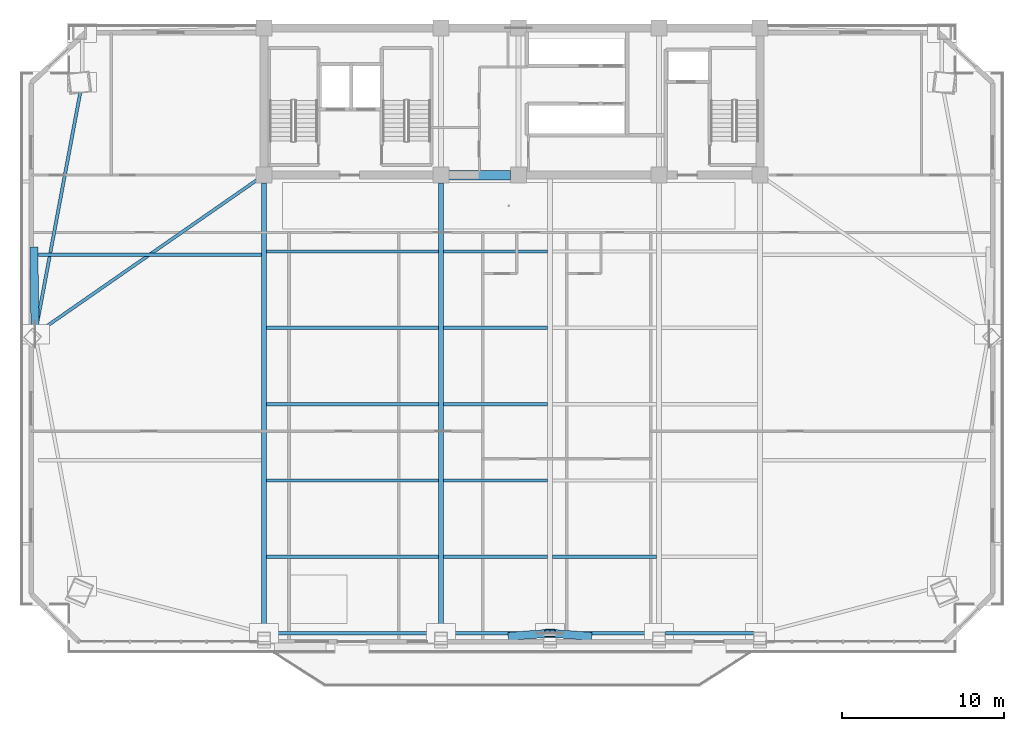
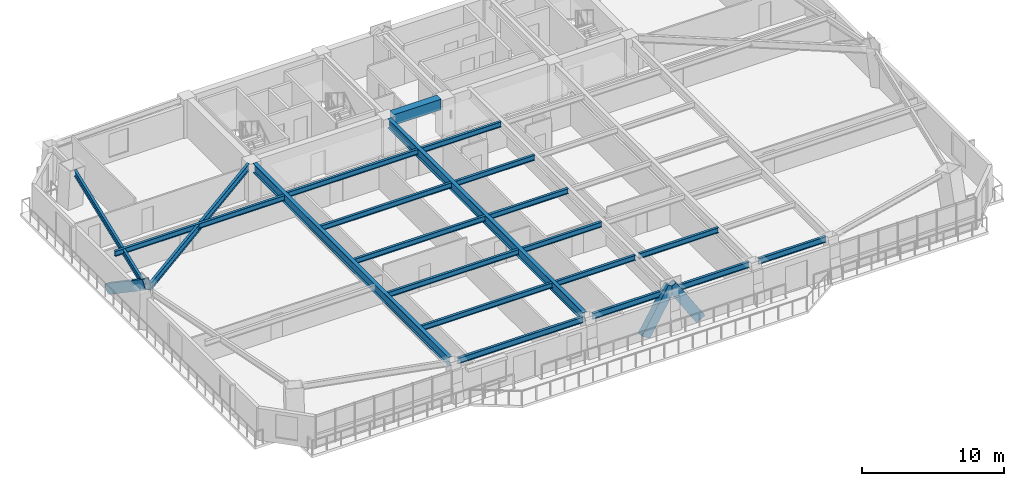
# One storey, part 3 of 15: 21 beams, 3 members.
"""IFC4 building model written with IfcOpenShell, lengths in metres."""

from ifc_helpers import new_model, si_unit, direction, frame, origin, origin_2d, place, context, subcontext, project, spatial, rectangle, hollow_rectangle, i_section, extrude, source, transform, mapped, material, material_profile, profile_set, type_object, element, save


model = new_model("IFC4")

# Units and contexts
model_context = context("Model", 3, precision=1e-05, world=origin(), true_north=direction((0.0, 1.0)))
body_context = subcontext(model_context, "Body", "Model", "MODEL_VIEW")
ifc_project = project(units=[si_unit("LENGTHUNIT", "METRE"), si_unit("AREAUNIT", "SQUARE_METRE"), si_unit("VOLUMEUNIT", "CUBIC_METRE"), si_unit("PLANEANGLEUNIT", "RADIAN"), si_unit("MASSUNIT", "GRAM", prefix="KILO")], contexts=[model_context])

# Site, building, storey
site_placement = place(None, origin())
site = spatial("IfcSite", under=ifc_project, at=site_placement, CompositionType="ELEMENT")
building_placement = place(site_placement, origin())
building = spatial("IfcBuilding", under=site, at=building_placement, Name="Giltprow Tower", CompositionType="ELEMENT")
storey_placement = place(building_placement, frame((0.0, 0.0, 156.199951171875)))
storey = spatial("IfcBuildingStorey", under=building, at=storey_placement, Name="L38", CompositionType="ELEMENT", Elevation=156.199951171875)

# Beams
ifc_material_1 = material(Name="Structural steel Q355B", Category="steel")
ifc_material_profile_1 = material_profile(ifc_material_1, i_section(OverallWidth=0.199951171875, OverallDepth=0.449951171875, WebThickness=0.009033203125, FlangeThickness=0.013916015625, at=origin_2d()), Name="HN 450x200x9x14")
ifc_profile_set_1 = profile_set([ifc_material_profile_1], Name="Structural steel Q355B")
beam_type_1 = type_object("IfcBeamType", Name="BM-JOIST-HN450", PredefinedType="JOIST", material=ifc_profile_set_1)
shared_shape_1 = source(origin(), body_context, "Body", "SweptSolid", [
    extrude(i_section(OverallWidth=0.199951171875, OverallDepth=0.449951171875, WebThickness=0.009033203125, FlangeThickness=0.013916015625, at=origin_2d()), origin(), (0.0, 0.0, 1.0), 10.659912109375),
])
for number, where, z_axis, x_axis, name in (
    (1, (19.9951171875, 13.822998046875, 3.045166015625), (1.0, 0.0, 0.0), (0.0, 1.0, 0.0), "L38 Composite Floor Joist 1-1"),
    (2, (19.9951171875, 18.549072265625, 3.045166015625), (1.0, 0.0, 0.0), (0.0, 1.0, 0.0), "L38 Composite Floor Joist 2-1"),
    (3, (19.9951171875, 23.27392578125, 3.045166015625), (1.0, 0.0, 0.0), (0.0, 1.0, 0.0), "L38 Composite Floor Joist 3-1"),
    (4, (19.9951171875, 27.9990234375, 3.045166015625), (1.0, 0.0, 0.0), (0.0, 1.0, 0.0), "L38 Composite Floor Joist 4-1"),
    (5, (19.9951171875, 32.72509765625, 3.045166015625), (1.0, 0.0, 0.0), (0.0, 1.0, 0.0), "L38 Composite Floor Joist 5-1"),
):
    element("IfcBeam", number, at=place(storey_placement, frame(where, z_axis=z_axis, x_axis=x_axis)), inside=storey, type_object=beam_type_1, Name=name, PredefinedType="JOIST", context=body_context, shape_type="MappedRepresentation", body=[
        mapped(shared_shape_1, transform((0.0, 0.0, 0.0), x_axis=(1.0, 0.0, 0.0), y_axis=(0.0, 1.0, 0.0), z_axis=(0.0, 0.0, 1.0), scale=1.0)),
    ])
shared_shape_2 = source(origin(), body_context, "Body", "SweptSolid", [
    extrude(i_section(OverallWidth=0.199951171875, OverallDepth=0.449951171875, WebThickness=0.009033203125, FlangeThickness=0.013916015625, at=origin_2d()), origin(), (0.0, 0.0, 1.0), 6.4599609375),
])
for number, where, z_axis, x_axis, name in (
    (6, (30.945068359375, 13.822998046875, 3.045166015625), (1.0, 0.0, 0.0), (0.0, 1.0, 0.0), "L38 Composite Floor Joist 1-2"),
    (7, (37.695068359375, 13.822998046875, 3.045166015625), (1.0, 0.0, 0.0), (0.0, 1.0, 0.0), "L38 Composite Floor Joist 1-3"),
    (8, (30.945068359375, 18.549072265625, 3.045166015625), (1.0, 0.0, 0.0), (0.0, 1.0, 0.0), "L38 Composite Floor Joist 2-2"),
    (9, (30.945068359375, 23.27392578125, 3.045166015625), (1.0, 0.0, 0.0), (0.0, 1.0, 0.0), "L38 Composite Floor Joist 3-2"),
    (10, (30.945068359375, 27.9990234375, 3.045166015625), (1.0, 0.0, 0.0), (0.0, 1.0, 0.0), "L38 Composite Floor Joist 4-2"),
    (11, (30.945068359375, 32.72509765625, 3.045166015625), (1.0, 0.0, 0.0), (0.0, 1.0, 0.0), "L38 Composite Floor Joist 5-2"),
):
    element("IfcBeam", number, at=place(storey_placement, frame(where, z_axis=z_axis, x_axis=x_axis)), inside=storey, type_object=beam_type_1, Name=name, PredefinedType="JOIST", context=body_context, shape_type="MappedRepresentation", body=[
        mapped(shared_shape_2, transform((0.0, 0.0, 0.0), x_axis=(1.0, 0.0, 0.0), y_axis=(0.0, 1.0, 0.0), z_axis=(0.0, 0.0, 1.0), scale=1.0)),
    ])
ifc_material_profile_2 = material_profile(ifc_material_1, i_section(OverallWidth=0.199951171875, OverallDepth=0.5, WebThickness=0.010009765625, FlangeThickness=0.01611328125, at=origin_2d()), Name="HN 500x200x10x16")
ifc_profile_set_2 = profile_set([ifc_material_profile_2], Name="Structural steel Q355B")
beam_type_2 = type_object("IfcBeamType", Name="BM-SPAN-HN500", PredefinedType="SPANDREL", material=ifc_profile_set_2)
shared_shape_3 = source(origin(), body_context, "Body", "SweptSolid", [
    extrude(i_section(OverallWidth=0.199951171875, OverallDepth=0.5, WebThickness=0.010009765625, FlangeThickness=0.01611328125, at=origin_2d()), origin(), (0.0, 0.0, 1.0), 10.179931640625),
])
beam_1_placement = place(storey_placement, frame((20.235107421875, 9.097900390625, 3.02001953125), z_axis=(1.0, 0.0, 0.0), x_axis=(0.0, 1.0, 0.0)))
element("IfcBeam", 12, at=beam_1_placement, inside=storey, type_object=beam_type_2, Name="L38 Perimeter Spandrel Beam S1-S2", PredefinedType="SPANDREL", context=body_context, shape_type="MappedRepresentation", body=[
    mapped(shared_shape_3, transform((0.0, 0.0, 0.0), x_axis=(1.0, 0.0, 0.0), y_axis=(0.0, 1.0, 0.0), z_axis=(0.0, 0.0, 1.0), scale=1.0)),
])
shared_shape_4 = source(origin(), body_context, "Body", "SweptSolid", [
    extrude(i_section(OverallWidth=0.199951171875, OverallDepth=0.5, WebThickness=0.010009765625, FlangeThickness=0.01611328125, at=origin_2d()), origin(), (0.0, 0.0, 1.0), 5.97998046875),
])
for number, where, z_axis, x_axis, name in (
    (13, (31.18505859375, 9.097900390625, 3.02001953125), (1.0, 0.0, 0.0), (0.0, 1.0, 0.0), "L38 Perimeter Spandrel Beam S2-S_MID"),
    (14, (37.93505859375, 9.097900390625, 3.02001953125), (1.0, 0.0, 0.0), (0.0, 1.0, 0.0), "L38 Perimeter Spandrel Beam S_MID-S3"),
):
    element("IfcBeam", number, at=place(storey_placement, frame(where, z_axis=z_axis, x_axis=x_axis)), inside=storey, type_object=beam_type_2, Name=name, PredefinedType="SPANDREL", context=body_context, shape_type="MappedRepresentation", body=[
        mapped(shared_shape_4, transform((0.0, 0.0, 0.0), x_axis=(1.0, 0.0, 0.0), y_axis=(0.0, 1.0, 0.0), z_axis=(0.0, 0.0, 1.0), scale=1.0)),
    ])
shared_shape_5 = source(origin(), body_context, "Body", "SweptSolid", [
    extrude(i_section(OverallWidth=0.199951171875, OverallDepth=0.5, WebThickness=0.010009765625, FlangeThickness=0.01611328125, at=origin_2d()), origin(), (0.0, 0.0, 1.0), 5.47998046875),
])
beam_2_placement = place(storey_placement, frame((44.68505859375, 9.097900390625, 3.02001953125), z_axis=(1.0, 0.0, 0.0), x_axis=(0.0, 1.0, 0.0)))
element("IfcBeam", 15, at=beam_2_placement, inside=storey, type_object=beam_type_2, Name="L38 Perimeter Spandrel Beam S3-S4", PredefinedType="SPANDREL", context=body_context, shape_type="MappedRepresentation", body=[
    mapped(shared_shape_5, transform((0.0, 0.0, 0.0), x_axis=(1.0, 0.0, 0.0), y_axis=(0.0, 1.0, 0.0), z_axis=(0.0, 0.0, 1.0), scale=1.0)),
])
ifc_material_2 = material(Name="Concrete C50", Category="concrete")
ifc_material_profile_3 = material_profile(ifc_material_2, rectangle(XDim=0.60009765625, YDim=0.89990234375, at=origin_2d()), Name="RC 900x600")
ifc_profile_set_3 = profile_set([ifc_material_profile_3], Name="Concrete C50")
beam_type_3 = type_object("IfcBeamType", Name="BM-CPL-RC900", PredefinedType="LINTEL", material=ifc_profile_set_3)
shared_shape_6 = source(origin(), body_context, "Body", "SweptSolid", [
    extrude(rectangle(XDim=0.60009765625, YDim=0.89990234375, at=origin_2d()), origin(), (0.0, 0.0, 1.0), 3.830078125),
])
beam_3_placement = place(storey_placement, frame((31.284912109375, 37.449951171875, 2.820068359375), z_axis=(1.0, 0.0, 0.0), x_axis=(0.0, 1.0, 0.0)))
element("IfcBeam", 16, at=beam_3_placement, inside=storey, type_object=beam_type_3, Name="L38 Core Coupling Beam CB-1", PredefinedType="LINTEL", context=body_context, shape_type="MappedRepresentation", body=[
    mapped(shared_shape_6, transform((0.0, 0.0, 0.0), x_axis=(1.0, 0.0, 0.0), y_axis=(0.0, 1.0, 0.0), z_axis=(0.0, 0.0, 1.0), scale=1.0)),
])
shared_shape_7 = source(origin(), body_context, "Body", "SweptSolid", [
    extrude(i_section(OverallWidth=0.199951171875, OverallDepth=0.5, WebThickness=0.010009765625, FlangeThickness=0.01611328125, at=origin_2d()), origin(), (0.0, 0.0, 1.0), 14.83837890625),
])
beam_4_placement = place(storey_placement, frame((8.47998046875, 42.56298828125, 3.02001953125), z_axis=(-0.183652712761, -0.982991190752, 0.0), x_axis=(0.982991190752, -0.183652712761, 0.0)))
element("IfcBeam", 17, at=beam_4_placement, inside=storey, type_object=beam_type_2, Name="L38 Perimeter Spandrel Beam MC_NW-W_MID", PredefinedType="SPANDREL", context=body_context, shape_type="MappedRepresentation", body=[
    mapped(shared_shape_7, transform((0.0, 0.0, 0.0), x_axis=(1.0, 0.0, 0.0), y_axis=(0.0, 1.0, 0.0), z_axis=(0.0, 0.0, 1.0), scale=1.0)),
])
ifc_material_profile_4 = material_profile(ifc_material_1, i_section(OverallWidth=0.300048828125, OverallDepth=0.800048828125, WebThickness=0.013916015625, FlangeThickness=0.02587890625, at=origin_2d()), Name="HN 800x300x14x26")
ifc_profile_set_4 = profile_set([ifc_material_profile_4], Name="Structural steel Q355B")
beam_type_4 = type_object("IfcBeamType", Name="BM-GIRD-HN800", PredefinedType="BEAM", material=ifc_profile_set_4)
shared_shape_8 = source(origin(), body_context, "Body", "SweptSolid", [
    extrude(i_section(OverallWidth=0.300048828125, OverallDepth=0.800048828125, WebThickness=0.013916015625, FlangeThickness=0.02587890625, at=origin_2d()), origin(), (0.0, 0.0, 1.0), 27.482177734375),
])
for number, where, z_axis, x_axis, name in (
    (18, (19.85009765625, 9.48291015625, 2.8701171875), (0.0, 1.0, 0.0), (-1.0, 0.0, 0.0), "L38 Primary Lease Girder S1"),
    (19, (30.800048828125, 9.48291015625, 2.8701171875), (0.0, 1.0, 0.0), (-1.0, 0.0, 0.0), "L38 Primary Lease Girder S2"),
):
    element("IfcBeam", number, at=place(storey_placement, frame(where, z_axis=z_axis, x_axis=x_axis)), inside=storey, type_object=beam_type_4, Name=name, PredefinedType="BEAM", context=body_context, shape_type="MappedRepresentation", body=[
        mapped(shared_shape_8, transform((0.0, 0.0, 0.0), x_axis=(1.0, 0.0, 0.0), y_axis=(0.0, 1.0, 0.0), z_axis=(0.0, 0.0, 1.0), scale=1.0)),
    ])
ifc_material_profile_5 = material_profile(ifc_material_1, i_section(OverallWidth=0.199951171875, OverallDepth=0.60009765625, WebThickness=0.010986328125, FlangeThickness=0.01708984375, at=origin_2d()), Name="HN 600x200x11x17")
ifc_profile_set_5 = profile_set([ifc_material_profile_5], Name="Structural steel Q355B")
beam_type_5 = type_object("IfcBeamType", Name="BM-GIRD-HN600", PredefinedType="BEAM", material=ifc_profile_set_5)
shared_shape_9 = source(origin(), body_context, "Body", "SweptSolid", [
    extrude(i_section(OverallWidth=0.199951171875, OverallDepth=0.60009765625, WebThickness=0.010986328125, FlangeThickness=0.01708984375, at=origin_2d()), origin(), (0.0, 0.0, 1.0), 16.384521484375),
])
beam_5_placement = place(storey_placement, frame((6.0, 27.819091796875, 2.969970703125), z_axis=(0.821015129257, 0.570906435005, 0.0), x_axis=(-0.570906435005, 0.821015129257, 0.0)))
element("IfcBeam", 20, at=beam_5_placement, inside=storey, type_object=beam_type_5, Name="L38 West Wing Primary Girder", PredefinedType="BEAM", context=body_context, shape_type="MappedRepresentation", body=[
    mapped(shared_shape_9, transform((0.0, 0.0, 0.0), x_axis=(1.0, 0.0, 0.0), y_axis=(0.0, 1.0, 0.0), z_axis=(0.0, 0.0, 1.0), scale=1.0)),
])
shared_shape_10 = source(origin(), body_context, "Body", "SweptSolid", [
    extrude(i_section(OverallWidth=0.199951171875, OverallDepth=0.449951171875, WebThickness=0.009033203125, FlangeThickness=0.013916015625, at=origin_2d()), origin(), (0.0, 0.0, 1.0), 13.801025390625),
])
beam_6_placement = place(storey_placement, frame((5.904052734375, 32.52490234375, 3.045166015625), z_axis=(1.0, 0.0, 0.0), x_axis=(0.0, 1.0, 0.0)))
element("IfcBeam", 21, at=beam_6_placement, inside=storey, type_object=beam_type_1, Name="L38 West Wing Floor Joist 2", PredefinedType="JOIST", context=body_context, shape_type="MappedRepresentation", body=[
    mapped(shared_shape_10, transform((0.0, 0.0, 0.0), x_axis=(1.0, 0.0, 0.0), y_axis=(0.0, 1.0, 0.0), z_axis=(0.0, 0.0, 1.0), scale=1.0)),
])

# Members
ifc_material_3 = material(Name="Structural steel Q420GJC", Category="steel")
ifc_material_profile_6 = material_profile(ifc_material_3, hollow_rectangle(XDim=0.5, YDim=0.800048828125, WallThickness=0.035888671875, at=origin_2d()), Name="RHS 800x500x36")
ifc_profile_set_6 = profile_set([ifc_material_profile_6], Name="Structural steel Q420GJC")
member_type = type_object("IfcMemberType", Name="MBR-MEGA-RHS800", PredefinedType="BRACE", material=ifc_profile_set_6)
shared_shape_11 = source(origin(), body_context, "Body", "SweptSolid", [
    extrude(hollow_rectangle(XDim=0.5, YDim=0.800048828125, WallThickness=0.035888671875, at=origin_2d()), origin(), (0.0, 0.0, 1.0), 4.16455078125),
])
for number, where, z_axis, x_axis, name in (
    (22, (35.300048828125, 8.923095703125, 0.0), (0.540281001718, 0.041974956297, 0.840437113784), (-0.077457561353, 0.996995650035, 0.0), "L38 Chevron Mega-Brace S-L"),
    (23, (39.800048828125, 8.923095703125, 0.0), (-0.540281001718, 0.041974956297, 0.840437113784), (-0.077457561353, -0.996995650035, 0.0), "L38 Chevron Mega-Brace S-R"),
):
    element("IfcMember", number, at=place(storey_placement, frame(where, z_axis=z_axis, x_axis=x_axis)), inside=storey, type_object=member_type, Name=name, PredefinedType="BRACE", context=body_context, shape_type="MappedRepresentation", body=[
        mapped(shared_shape_11, transform((0.0, 0.0, 0.0), x_axis=(1.0, 0.0, 0.0), y_axis=(0.0, 1.0, 0.0), z_axis=(0.0, 0.0, 1.0), scale=1.0)),
    ])
shared_shape_12 = source(origin(), body_context, "Body", "SweptSolid", [
    extrude(hollow_rectangle(XDim=0.5, YDim=0.800048828125, WallThickness=0.035888671875, at=origin_2d()), origin(), (0.0, 0.0, 1.0), 6.257568359375),
])
member_placement = place(storey_placement, frame((5.60595703125, 32.785888671875, 0.0), z_axis=(0.012484642521, -0.828863219849, 0.559311984926), x_axis=(0.999886581839, 0.01506065927, 0.0)))
element("IfcMember", 24, at=member_placement, inside=storey, type_object=member_type, Name="L38 Chevron Mega-Brace W-R", PredefinedType="BRACE", context=body_context, shape_type="MappedRepresentation", body=[
    mapped(shared_shape_12, transform((0.0, 0.0, 0.0), x_axis=(1.0, 0.0, 0.0), y_axis=(0.0, 1.0, 0.0), z_axis=(0.0, 0.0, 1.0), scale=1.0)),
])

save(model, "model.ifc")
